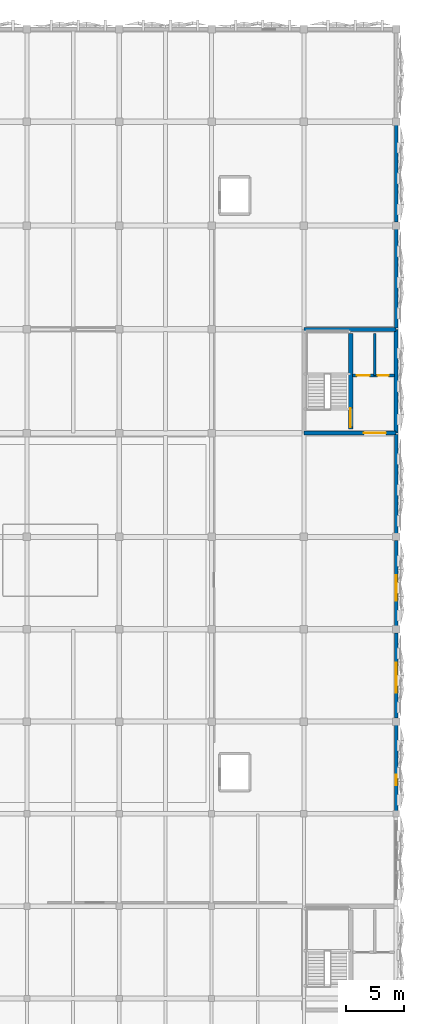
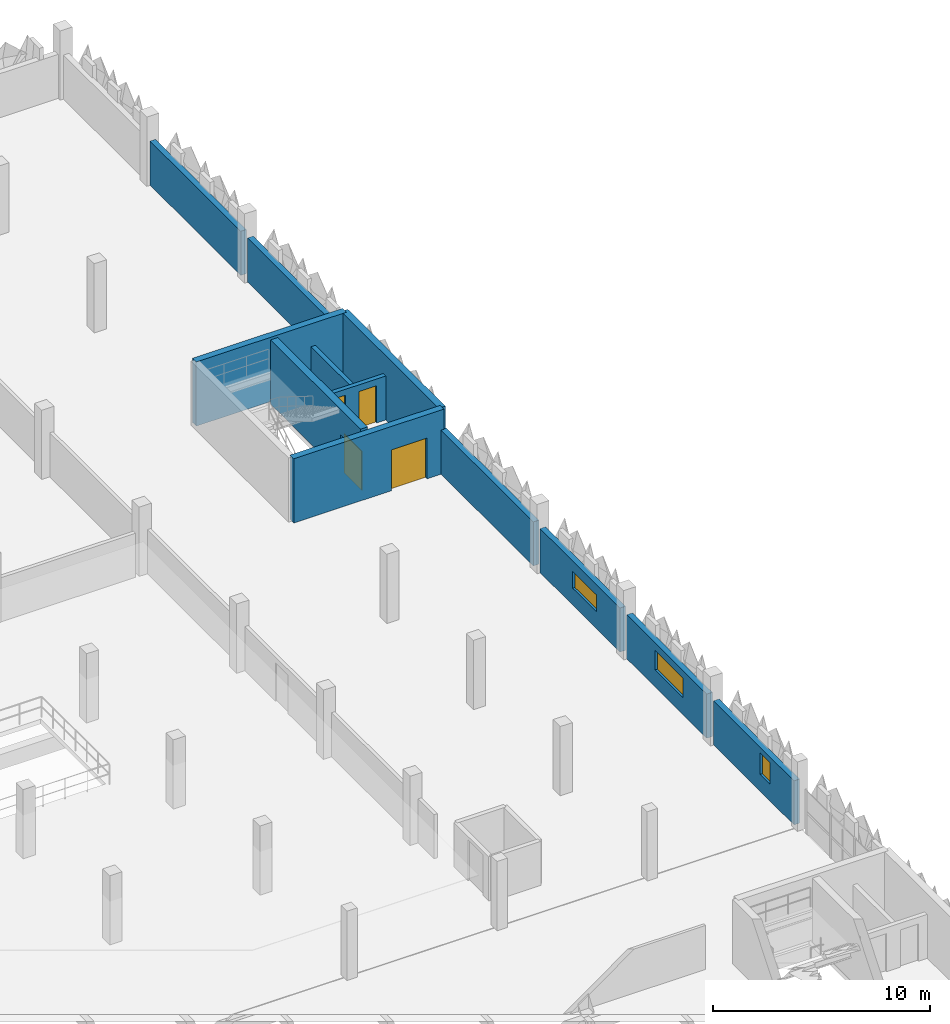
# One storey, part 54 of 96: 12 walls, 4 doors, 3 windows, 7 openings.
"""IFC4 building model written with IfcOpenShell, lengths in metres."""

from ifc_helpers import new_model, si_unit, derived_unit, direction, frame, frame_2d, origin, place, context, subcontext, project, spatial, rectangle, extrude, material, layer, layer_set, type_object, element, fill, save


model = new_model("IFC4")

# Units and contexts
model_context = context("Model", 3, precision=1e-05, world=origin(), true_north=direction((0.0, 1.0)))
body_context = subcontext(model_context, "Body", "Model", "MODEL_VIEW")
ifc_project = project(units=[si_unit("LENGTHUNIT", "METRE"), si_unit("AREAUNIT", "SQUARE_METRE"), si_unit("VOLUMEUNIT", "CUBIC_METRE"), si_unit("PLANEANGLEUNIT", "RADIAN"), si_unit("MASSUNIT", "GRAM", prefix="KILO"), si_unit("THERMODYNAMICTEMPERATUREUNIT", "KELVIN"), derived_unit("THERMALTRANSMITTANCEUNIT", [(si_unit("POWERUNIT", "WATT"), 1), (si_unit("AREAUNIT", "SQUARE_METRE"), -1), (si_unit("THERMODYNAMICTEMPERATUREUNIT", "KELVIN"), -1)])], contexts=[model_context])

# Site, building, storey
site_placement = place(None, origin())
site = spatial("IfcSite", under=ifc_project, at=site_placement, CompositionType="ELEMENT")
building_placement = place(site_placement, origin())
building = spatial("IfcBuilding", under=site, at=building_placement, Name="Haiyu Intermodal Mobility Hub", CompositionType="ELEMENT")
storey_placement = place(building_placement, frame((0.0, 0.0, 9.5)))
storey = spatial("IfcBuildingStorey", under=building, at=storey_placement, Name="L02", CompositionType="ELEMENT", Elevation=9.5)

# Wall, opening, window
ifc_material_1 = material(Name="Precast concrete C40", Category="concrete")
ifc_layer_1 = layer(ifc_material_1, 0.300048828125)
ifc_layer_set_1 = layer_set([ifc_layer_1], Name="Precast concrete C40")
wall_type_1 = type_object("IfcWallType", Name="WAL-WE01", PredefinedType="STANDARD", material=ifc_layer_set_1)
wall_1_placement = place(storey_placement, frame((210.0, 80.2548828125, 0.0), z_axis=(0.0, 0.0, 1.0), x_axis=(0.0, 1.0, 0.0)))
wall_1 = element("IfcWall", 1, at=wall_1_placement, inside=storey, type_object=wall_type_1, Name="WAL-V6E-184", PredefinedType="STANDARD", context=body_context, shape_type="SweptSolid", body=[
    extrude(rectangle(XDim=7.440185546875, YDim=0.300048828125, at=frame_2d((3.72021484375, 0.0))), origin(), (0.0, 0.0, 1.0), 2.47998046875),
])
opening_1_placement = place(wall_1_placement, frame((2.22509765625, 0.0, 0.949951171875)))
opening_1 = element("IfcOpeningElement", 2, at=opening_1_placement, cuts=wall_1, Name="Opening WN09", PredefinedType="OPENING", context=body_context, shape_type="SweptSolid", body=[
    extrude(rectangle(XDim=0.89990234375, YDim=1.199951171875, at=frame_2d((0.449951171875, 0.60009765625))), frame((0.0, 0.16015625, 0.0), z_axis=(0.0, -1.0, 0.0), x_axis=(1.0, 0.0, 0.0)), (0.0, 0.0, 1.0), 0.320068359375),
])
ifc_material_2 = material(Name="Low-e laminated insulating glass", Category="glass")
window_type_1 = type_object("IfcWindowType", Name="WIN-WN09", PartitioningType="SINGLE_PANEL", PredefinedType="WINDOW", material=ifc_material_2)
window_1_placement = place(opening_1_placement, origin())
window_1 = element("IfcWindow", 3, at=window_1_placement, inside=storey, type_object=window_type_1, Name="WAL-V6E-184-WN01", OverallHeight=1.199951171875, OverallWidth=0.89990234375, PartitioningType="SINGLE_PANEL", PredefinedType="WINDOW", context=body_context, shape_type="SweptSolid", body=[
    extrude(rectangle(XDim=0.89990234375, YDim=1.199951171875, at=frame_2d((0.449951171875, 0.60009765625))), frame((0.0, 0.030029296875, 0.0), z_axis=(0.0, -1.0, 0.0), x_axis=(1.0, 0.0, 0.0)), (0.0, 0.0, 1.0), 0.06005859375),
])
fill(opening_1, window_1)

wall_2_placement = place(storey_placement, frame((210.0, 88.304931640625, 0.0), z_axis=(0.0, 0.0, 1.0), x_axis=(0.0, 1.0, 0.0)))
wall_2 = element("IfcWall", 4, at=wall_2_placement, inside=storey, type_object=wall_type_1, Name="WAL-V6E-186", PredefinedType="STANDARD", context=body_context, shape_type="SweptSolid", body=[
    extrude(rectangle(XDim=7.39013671875, YDim=0.300048828125, at=frame_2d((3.695068359375, 0.0))), origin(), (0.0, 0.0, 1.0), 2.47998046875),
])
opening_2_placement = place(wall_2_placement, frame((2.175048828125, 0.0, 0.949951171875)))
opening_2 = element("IfcOpeningElement", 5, at=opening_2_placement, cuts=wall_2, Name="Opening WN10", PredefinedType="OPENING", context=body_context, shape_type="SweptSolid", body=[
    extrude(rectangle(XDim=2.60009765625, YDim=1.10009765625, at=frame_2d((1.300048828125, 0.550048828125))), frame((0.0, 0.16015625, 0.0), z_axis=(0.0, -1.0, 0.0), x_axis=(1.0, 0.0, 0.0)), (0.0, 0.0, 1.0), 0.320068359375),
])
window_type_2 = type_object("IfcWindowType", Name="WIN-WN10", PartitioningType="DOUBLE_PANEL_HORIZONTAL", PredefinedType="WINDOW", material=ifc_material_2)
window_2_placement = place(opening_2_placement, origin())
window_2 = element("IfcWindow", 6, at=window_2_placement, inside=storey, type_object=window_type_2, Name="WAL-V6E-186-WN01", OverallHeight=1.10009765625, OverallWidth=2.60009765625, PartitioningType="SINGLE_PANEL", PredefinedType="WINDOW", context=body_context, shape_type="SweptSolid", body=[
    extrude(rectangle(XDim=2.60009765625, YDim=1.10009765625, at=frame_2d((1.300048828125, 0.550048828125))), frame((0.0, 0.030029296875, 0.0), z_axis=(0.0, -1.0, 0.0), x_axis=(1.0, 0.0, 0.0)), (0.0, 0.0, 1.0), 0.06005859375),
])
fill(opening_2, window_2)

wall_3_placement = place(storey_placement, frame((210.0, 96.304931640625, 0.0), z_axis=(0.0, 0.0, 1.0), x_axis=(0.0, 1.0, 0.0)))
wall_3 = element("IfcWall", 7, at=wall_3_placement, inside=storey, type_object=wall_type_1, Name="WAL-V6E-188", PredefinedType="STANDARD", context=body_context, shape_type="SweptSolid", body=[
    extrude(rectangle(XDim=7.39013671875, YDim=0.300048828125, at=frame_2d((3.695068359375, 0.0))), origin(), (0.0, 0.0, 1.0), 2.47998046875),
])
opening_3_placement = place(wall_3_placement, frame((2.175048828125, 0.0, 0.949951171875)))
opening_3 = element("IfcOpeningElement", 8, at=opening_3_placement, cuts=wall_3, Name="Opening WN11", PredefinedType="OPENING", context=body_context, shape_type="SweptSolid", body=[
    extrude(rectangle(XDim=2.199951171875, YDim=0.949951171875, at=frame_2d((1.10009765625, 0.47509765625))), frame((0.0, 0.16015625, 0.0), z_axis=(0.0, -1.0, 0.0), x_axis=(1.0, 0.0, 0.0)), (0.0, 0.0, 1.0), 0.320068359375),
])
window_type_3 = type_object("IfcWindowType", Name="WIN-WN11", PartitioningType="DOUBLE_PANEL_HORIZONTAL", PredefinedType="WINDOW", material=ifc_material_2)
window_3_placement = place(opening_3_placement, origin())
window_3 = element("IfcWindow", 9, at=window_3_placement, inside=storey, type_object=window_type_3, Name="WAL-V6E-188-WN01", OverallHeight=0.949951171875, OverallWidth=2.199951171875, PartitioningType="SINGLE_PANEL", PredefinedType="WINDOW", context=body_context, shape_type="SweptSolid", body=[
    extrude(rectangle(XDim=2.199951171875, YDim=0.949951171875, at=frame_2d((1.10009765625, 0.47509765625))), frame((0.0, 0.030029296875, 0.0), z_axis=(0.0, -1.0, 0.0), x_axis=(1.0, 0.0, 0.0)), (0.0, 0.0, 1.0), 0.06005859375),
])
fill(opening_3, window_3)

# Walls
for number, where, z_axis, x_axis, name in (
    (10, (210.0, 104.304931640625, 0.0), (0.0, 0.0, 1.0), (0.0, 1.0, 0.0), "WAL-V6E-190"),
    (11, (210.0, 122.1298828125, 0.0), (0.0, 0.0, 1.0), (0.0, 1.0, 0.0), "WAL-V6E-192"),
):
    element("IfcWall", number, at=place(storey_placement, frame(where, z_axis=z_axis, x_axis=x_axis)), inside=storey, type_object=wall_type_1, Name=name, PredefinedType="STANDARD", context=body_context, shape_type="SweptSolid", body=[
        extrude(rectangle(XDim=8.565185546875, YDim=0.300048828125, at=frame_2d((4.28271484375, 0.0))), origin(), (0.0, 0.0, 1.0), 2.47998046875),
    ])
wall_4_placement = place(storey_placement, frame((210.0, 131.304931640625, 0.0), z_axis=(0.0, 0.0, 1.0), x_axis=(0.0, 1.0, 0.0)))
element("IfcWall", 12, at=wall_4_placement, inside=storey, type_object=wall_type_1, Name="WAL-V6E-194", PredefinedType="STANDARD", context=body_context, shape_type="SweptSolid", body=[
    extrude(rectangle(XDim=8.39013671875, YDim=0.300048828125, at=frame_2d((4.195068359375, 0.0))), origin(), (0.0, 0.0, 1.0), 2.47998046875),
])
ifc_material_3 = material(Name="Autoclaved aerated concrete block A5.0", Category="concrete")
ifc_layer_2 = layer(ifc_material_3, 0.22998046875)
ifc_layer_set_2 = layer_set([ifc_layer_2], Name="Autoclaved aerated concrete block A5.0")
wall_type_2 = type_object("IfcWallType", Name="WAL-WI01", PredefinedType="PARTITIONING", material=ifc_layer_set_2)
wall_5_placement = place(storey_placement, frame((208.1298828125, 118.0, 0.0), z_axis=(0.0, 0.0, 1.0), x_axis=(0.0, 1.0, 0.0)))
element("IfcWall", 13, at=wall_5_placement, inside=storey, type_object=wall_type_2, Name="WAL-CORE-C10-LSH-L02", PredefinedType="PARTITIONING", context=body_context, shape_type="SweptSolid", body=[
    extrude(rectangle(XDim=3.64990234375, YDim=0.22998046875, at=frame_2d((1.824951171875, 0.0))), origin(), (0.0, 0.0, 1.0), 2.47998046875),
])

# Wall, openings, doors
wall_6_placement = place(storey_placement, frame((206.2099609375, 118.0, 0.0), z_axis=(0.0, 0.0, 1.0), x_axis=(1.0, 0.0, 0.0)))
wall_6 = element("IfcWall", 14, at=wall_6_placement, inside=storey, type_object=wall_type_2, Name="WAL-CORE-C10-LFT-L02", PredefinedType="PARTITIONING", context=body_context, shape_type="SweptSolid", body=[
    extrude(rectangle(XDim=3.630126953125, YDim=0.22998046875, at=frame_2d((1.81494140625, 0.0))), origin(), (0.0, 0.0, 1.0), 2.47998046875),
])
opening_4_placement = place(wall_6_placement, frame((0.3798828125, 0.0, 0.0)))
opening_4 = element("IfcOpeningElement", 15, at=opening_4_placement, cuts=wall_6, Name="Opening LD01", PredefinedType="OPENING", context=body_context, shape_type="SweptSolid", body=[
    extrude(rectangle(XDim=1.10009765625, YDim=2.14990234375, at=frame_2d((0.550048828125, 1.074951171875))), frame((0.0, 0.125, 0.0), z_axis=(0.0, -1.0, 0.0), x_axis=(1.0, 0.0, 0.0)), (0.0, 0.0, 1.0), 0.25),
])
opening_5_placement = place(wall_6_placement, frame((2.179931640625, 0.0, 0.0)))
opening_5 = element("IfcOpeningElement", 16, at=opening_5_placement, cuts=wall_6, Name="Opening DI07", PredefinedType="OPENING", context=body_context, shape_type="SweptSolid", body=[
    extrude(rectangle(XDim=0.949951171875, YDim=2.10009765625, at=frame_2d((0.47509765625, 1.050048828125))), frame((0.0, 0.125, 0.0), z_axis=(0.0, -1.0, 0.0), x_axis=(1.0, 0.0, 0.0)), (0.0, 0.0, 1.0), 0.25),
])
ifc_material_4 = material(Name="Steel Q355C", Category="steel")
door_type_1 = type_object("IfcDoorType", Name="DR-DI07", OperationType="NOTDEFINED", PredefinedType="DOOR", material=ifc_material_4)
door_1_placement = place(opening_5_placement, origin())
door_1 = element("IfcDoor", 17, at=door_1_placement, inside=storey, type_object=door_type_1, Name="Core C10 Accessible WC Door L02", OperationType="SINGLE_SWING_RIGHT", OverallHeight=2.10009765625, OverallWidth=0.949951171875, PredefinedType="DOOR", context=body_context, shape_type="SweptSolid", body=[
    extrude(rectangle(XDim=0.949951171875, YDim=2.10009765625, at=frame_2d((0.47509765625, 1.050048828125))), frame((0.0, 0.02490234375, 0.0), z_axis=(0.0, -1.0, 0.0), x_axis=(1.0, 0.0, 0.0)), (0.0, 0.0, 1.0), 0.050048828125),
])
fill(opening_5, door_1)
door_type_2 = type_object("IfcDoorType", Name="DR-LD01", OperationType="DOUBLE_DOOR_SLIDING", PredefinedType="DOOR", material=ifc_material_4)
door_2_placement = place(opening_4_placement, origin())
door_2 = element("IfcDoor", 18, at=door_2_placement, inside=storey, type_object=door_type_2, Name="Lift FL-04 Sliding Landing Door L02", OperationType="SLIDING_TO_LEFT", OverallHeight=2.14990234375, OverallWidth=1.10009765625, PredefinedType="DOOR", context=body_context, shape_type="SweptSolid", body=[
    extrude(rectangle(XDim=1.10009765625, YDim=2.14990234375, at=frame_2d((0.550048828125, 1.074951171875))), frame((0.0, 0.02490234375, 0.0), z_axis=(0.0, -1.0, 0.0), x_axis=(1.0, 0.0, 0.0)), (0.0, 0.0, 1.0), 0.050048828125),
])
fill(opening_4, door_2)

# Wall, opening, door
ifc_material_5 = material(Name="Concrete C40", Category="concrete")
ifc_layer_3 = layer(ifc_material_5, 0.35009765625)
ifc_layer_set_3 = layer_set([ifc_layer_3], Name="Concrete C40")
wall_type_3 = type_object("IfcWallType", Name="WAL-WS02", PredefinedType="SHEAR", material=ifc_layer_set_3)
wall_7_placement = place(storey_placement, frame((202.0, 113.0, 0.0), z_axis=(0.0, 0.0, 1.0), x_axis=(1.0, 0.0, 0.0)))
wall_7 = element("IfcWall", 19, at=wall_7_placement, inside=storey, type_object=wall_type_3, Name="WAL-CORE-C10-S-L02", PredefinedType="SHEAR", context=body_context, shape_type="SweptSolid", body=[
    extrude(rectangle(XDim=8.0, YDim=0.35009765625, at=frame_2d((4.0, 0.0))), origin(), (0.0, 0.0, 1.0), 3.6201171875),
])
opening_6_placement = place(wall_7_placement, frame((5.199951171875, 0.0, 0.0)))
opening_6 = element("IfcOpeningElement", 20, at=opening_6_placement, cuts=wall_7, Name="Opening DI01", PredefinedType="OPENING", context=body_context, shape_type="SweptSolid", body=[
    extrude(rectangle(XDim=1.89990234375, YDim=2.300048828125, at=frame_2d((0.949951171875, 1.14990234375))), frame((0.0, 0.18505859375, 0.0), z_axis=(0.0, -1.0, 0.0), x_axis=(1.0, 0.0, 0.0)), (0.0, 0.0, 1.0), 0.3701171875),
])
door_type_3 = type_object("IfcDoorType", Name="DR-DI01", OperationType="DOUBLE_DOOR_SINGLE_SWING", PredefinedType="DOOR", material=ifc_material_4)
door_3_placement = place(opening_6_placement, origin())
door_3 = element("IfcDoor", 21, at=door_3_placement, inside=storey, type_object=door_type_3, Name="Core C10 Lobby Fire Door L02", OperationType="SINGLE_SWING_RIGHT", OverallHeight=2.300048828125, OverallWidth=1.89990234375, PredefinedType="DOOR", context=body_context, shape_type="SweptSolid", body=[
    extrude(rectangle(XDim=1.89990234375, YDim=2.300048828125, at=frame_2d((0.949951171875, 1.14990234375))), frame((0.0, 0.02490234375, 0.0), z_axis=(0.0, -1.0, 0.0), x_axis=(1.0, 0.0, 0.0)), (0.0, 0.0, 1.0), 0.050048828125),
])
fill(opening_6, door_3)

# Walls
wall_8_placement = place(storey_placement, frame((210.0, 113.0, 0.0), z_axis=(0.0, 0.0, 1.0), x_axis=(0.0, 1.0, 0.0)))
element("IfcWall", 22, at=wall_8_placement, inside=storey, type_object=wall_type_3, Name="WAL-CORE-C10-E-L02", PredefinedType="SHEAR", context=body_context, shape_type="SweptSolid", body=[
    extrude(rectangle(XDim=9.0, YDim=0.35009765625, at=frame_2d((4.5, 0.0))), origin(), (0.0, 0.0, 1.0), 3.6201171875),
])
wall_9_placement = place(storey_placement, frame((210.0, 122.0, 0.0), z_axis=(0.0, 0.0, 1.0), x_axis=(-1.0, 0.0, 0.0)))
element("IfcWall", 23, at=wall_9_placement, inside=storey, type_object=wall_type_3, Name="WAL-CORE-C10-N-L02", PredefinedType="SHEAR", context=body_context, shape_type="SweptSolid", body=[
    extrude(rectangle(XDim=8.0, YDim=0.35009765625, at=frame_2d((4.0, 0.0))), origin(), (0.0, 0.0, 1.0), 3.6201171875),
])

# Wall, opening, door
ifc_layer_4 = layer(ifc_material_5, 0.3798828125)
ifc_layer_set_4 = layer_set([ifc_layer_4], Name="Concrete C40")
wall_type_4 = type_object("IfcWallType", Name="WAL-WS03", PredefinedType="SHEAR", material=ifc_layer_set_4)
wall_10_placement = place(storey_placement, frame((206.050048828125, 113.35009765625, 0.0), z_axis=(0.0, 0.0, 1.0), x_axis=(0.0, 1.0, 0.0)))
wall_10 = element("IfcWall", 24, at=wall_10_placement, inside=storey, type_object=wall_type_4, Name="WAL-CORE-C10-MID-L02", PredefinedType="SHEAR", context=body_context, shape_type="SweptSolid", body=[
    extrude(rectangle(XDim=8.2998046875, YDim=0.3798828125, at=frame_2d((4.14990234375, 0.0))), origin(), (0.0, 0.0, 1.0), 3.6201171875),
])
opening_7_placement = place(wall_10_placement, frame((0.179931640625, 0.0, 0.0)))
opening_7 = element("IfcOpeningElement", 25, at=opening_7_placement, cuts=wall_10, Name="Opening DI02", PredefinedType="OPENING", context=body_context, shape_type="SweptSolid", body=[
    extrude(rectangle(XDim=1.64990234375, YDim=2.199951171875, at=frame_2d((0.824951171875, 1.10009765625))), frame((0.0, 0.199951171875, 0.0), z_axis=(0.0, -1.0, 0.0), x_axis=(1.0, 0.0, 0.0)), (0.0, 0.0, 1.0), 0.39990234375),
])
door_type_4 = type_object("IfcDoorType", Name="DR-DI02", OperationType="DOUBLE_DOOR_SINGLE_SWING", PredefinedType="DOOR", material=ifc_material_4)
door_4_placement = place(opening_7_placement, origin())
door_4 = element("IfcDoor", 26, at=door_4_placement, inside=storey, type_object=door_type_4, Name="Stair ST03 Fire Door L02", OperationType="SINGLE_SWING_RIGHT", OverallHeight=2.199951171875, OverallWidth=1.64990234375, PredefinedType="DOOR", context=body_context, shape_type="SweptSolid", body=[
    extrude(rectangle(XDim=1.64990234375, YDim=2.199951171875, at=frame_2d((0.824951171875, 1.10009765625))), frame((0.0, 0.02490234375, 0.0), z_axis=(0.0, -1.0, 0.0), x_axis=(1.0, 0.0, 0.0)), (0.0, 0.0, 1.0), 0.050048828125),
])
fill(opening_7, door_4)

save(model, "model.ifc")
